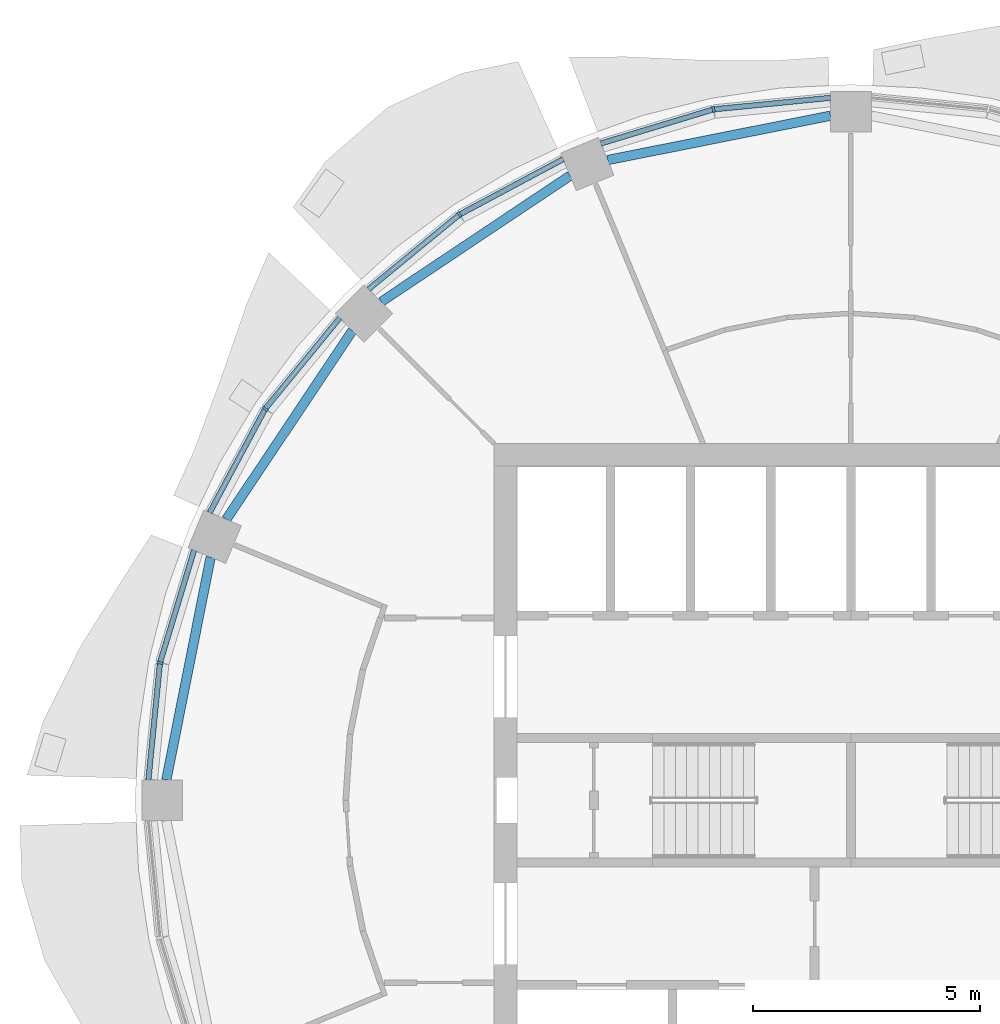
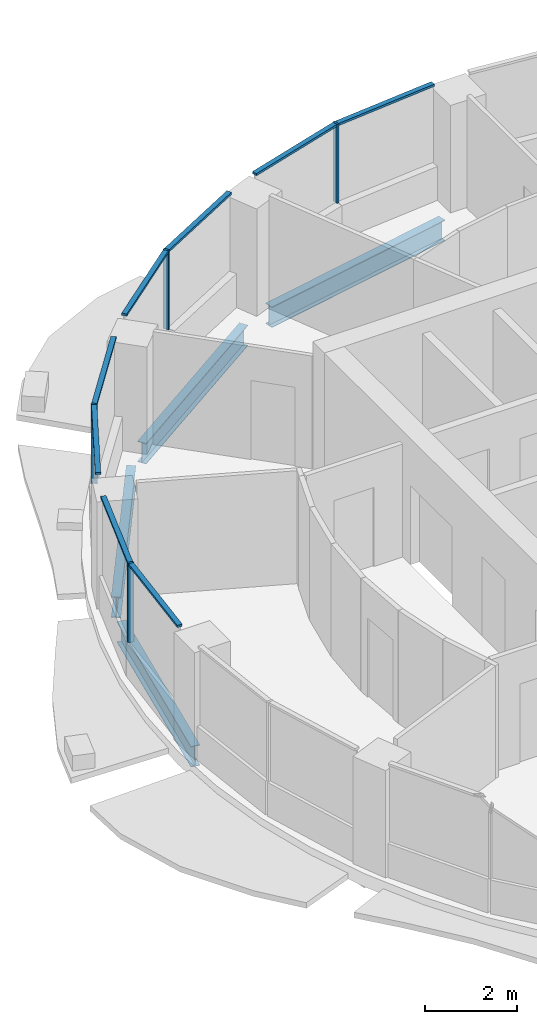
# One storey, part 4 of 14: 12 members, 4 beams, 4 elements without a shape of their own.
"""IFC4 building model written with IfcOpenShell, lengths in metres."""

import ifcopenshell
import ifcopenshell.guid

model = None  # the IFC model being written
_history = None  # IfcOwnerHistory: only IFC2X3 demands one
_inside = {}  # id of a spatial element -> (the spatial element, [elements in it])
_under = {}  # id of a project, library or spatial element -> (it, [spatial elements below it])
_declared = {}  # id of a project -> (the project, [libraries it declares])
_typed = {}  # id of a type object -> (the type object, [elements of that type])
_made_of = {}  # id of a material, layer set ... -> (it, [elements and type objects made of it])


def new_model(schema):
    """Start an empty IFC model of exactly this schema.

    Asked for "IFC4X3", IfcOpenShell would pick the latest addendum, in which some entities
    have other attributes; the version numbers below select the first issue.
    IFC2X3 requires an IfcOwnerHistory on every rooted entity: one is made here for all.
    """
    global model, _history
    if schema == "IFC4X3":
        model = ifcopenshell.file(schema_version=(4, 3, 0, 0))
    else:
        model = ifcopenshell.file(schema=schema)
    _inside.clear()
    _under.clear()
    _declared.clear()
    _typed.clear()
    _made_of.clear()
    _history = None
    if model.schema == "IFC2X3":
        org = make("IfcOrganization", Name="unknown")
        user = make(
            "IfcPersonAndOrganization",
            ThePerson=make("IfcPerson", FamilyName="unknown"),
            TheOrganization=org,
        )
        app = make(
            "IfcApplication",
            ApplicationDeveloper=org,
            Version="unknown",
            ApplicationFullName="unknown",
            ApplicationIdentifier="unknown",
        )
        _history = make(
            "IfcOwnerHistory",
            OwningUser=user,
            OwningApplication=app,
            ChangeAction="ADDED",
            CreationDate=0,
        )
    return model


def make(cls, **values):
    """One entity of the class cls with the attributes given. An attribute that is None is left unset."""
    return model.create_entity(
        cls, **{name: value for name, value in values.items() if value is not None}
    )


def rooted(cls, **values):
    """An entity with a GlobalId (a new one), such as an element, a storey or a relation."""
    return make(cls, GlobalId=ifcopenshell.guid.new(), OwnerHistory=_history, **values)


def si_unit(unit_type, name, prefix=None):
    """IfcSIUnit, for example si_unit("LENGTHUNIT", "METRE", prefix="MILLI")."""
    return make("IfcSIUnit", UnitType=unit_type, Prefix=prefix, Name=name)


def assignment(units):
    """IfcUnitAssignment: the units of a project."""
    return None if units is None else make("IfcUnitAssignment", Units=units)


def point(xyz):
    """IfcCartesianPoint."""
    return None if xyz is None else make("IfcCartesianPoint", Coordinates=xyz)


def direction(xyz):
    """IfcDirection."""
    return None if xyz is None else make("IfcDirection", DirectionRatios=xyz)


def frame(location, z_axis=None, x_axis=None):
    """IfcAxis2Placement3D, a coordinate frame: its origin and axes. An axis left out is left unset."""
    return make(
        "IfcAxis2Placement3D",
        Location=point(location),
        Axis=direction(z_axis),
        RefDirection=direction(x_axis),
    )


def frame_2d(location, x_axis=None):
    """IfcAxis2Placement2D, a coordinate frame in the plane: its origin and x axis."""
    return make(
        "IfcAxis2Placement2D", Location=point(location), RefDirection=direction(x_axis)
    )


def origin():
    """The frame at (0, 0, 0) with its axes left unset."""
    return frame((0.0, 0.0, 0.0))


def origin_2d():
    """The frame at (0, 0) in the plane with its x axis left unset."""
    return frame_2d((0.0, 0.0))


def place(relative_to, where):
    """IfcLocalPlacement: puts the frame where relative to a parent placement (None: the world)."""
    return make(
        "IfcLocalPlacement", PlacementRelTo=relative_to, RelativePlacement=where
    )


def context(
    kind, dimensions, precision=None, world=None, true_north=None, identifier=None
):
    """IfcGeometricRepresentationContext, for example the 3D "Model" context."""
    return make(
        "IfcGeometricRepresentationContext",
        ContextIdentifier=identifier,
        ContextType=kind,
        CoordinateSpaceDimension=dimensions,
        Precision=precision,
        WorldCoordinateSystem=world,
        TrueNorth=true_north,
    )


def subcontext(parent, identifier, kind, view, scale=None):
    """IfcGeometricRepresentationSubContext, for example "Body" below "Model"."""
    return make(
        "IfcGeometricRepresentationSubContext",
        ContextIdentifier=identifier,
        ContextType=kind,
        ParentContext=parent,
        TargetScale=scale,
        TargetView=view,
    )


def project(units=None, contexts=None):
    """IfcProject with its units and contexts."""
    return rooted(
        "IfcProject",
        Name="project",
        RepresentationContexts=contexts,
        UnitsInContext=assignment(units),
    )


def spatial(cls, under=None, at=None, **own):
    """A site, building, storey or space (cls), placed at a placement, below another one or the project."""
    s = rooted(cls, ObjectPlacement=at, **own)
    if under is not None:
        _under.setdefault(under.id(), (under, []))[1].append(s)
    return s


def profile(cls, at=None, kind="AREA", **sizes):
    """A parametric profile (cls). Its sizes go by their IFC names, for example OverallWidth=200.0."""
    return make(cls, ProfileType=kind, Position=at, **sizes)


def rectangle(**sizes):
    """IfcRectangleProfileDef."""
    return profile("IfcRectangleProfileDef", **sizes)


def i_section(**sizes):
    """IfcIShapeProfileDef."""
    return profile("IfcIShapeProfileDef", **sizes)


def extrude(swept, where, along, depth):
    """IfcExtrudedAreaSolid: the profile swept, set in the frame where, extruded along a direction by depth."""
    return make(
        "IfcExtrudedAreaSolid",
        SweptArea=swept,
        Position=where,
        ExtrudedDirection=direction(along),
        Depth=depth,
    )


def shape(context_of_items, identifier, shape_type, items):
    """IfcShapeRepresentation: the items that make up one representation, for example the "Body"."""
    return make(
        "IfcShapeRepresentation",
        ContextOfItems=context_of_items,
        RepresentationIdentifier=identifier,
        RepresentationType=shape_type,
        Items=items,
    )


def material(Name=None, Category=None):
    """IfcMaterial."""
    return make("IfcMaterial", Name=Name, Category=Category)


def material_profile(
    of_material, cross_section, Name=None, Category=None, Priority=None
):
    """IfcMaterialProfile: a cross section and its material."""
    return make(
        "IfcMaterialProfile",
        Name=Name,
        Material=of_material,
        Profile=cross_section,
        Priority=Priority,
        Category=Category,
    )


def profile_set(profiles, Name=None, composite=None):
    """IfcMaterialProfileSet."""
    return make(
        "IfcMaterialProfileSet",
        Name=Name,
        MaterialProfiles=profiles,
        CompositeProfile=composite,
    )


def made_of(thing, what):
    """Note that an element or type object is made of a material, layer set ...; save() writes the relation."""
    if what is not None:
        _made_of.setdefault(what.id(), (what, []))[1].append(thing)
    return thing


def type_object(cls, material=None, **own):
    """A type object (cls), such as IfcWallType, which elements share."""
    return made_of(rooted(cls, **own), material)


def element(
    cls,
    number,
    at=None,
    inside=None,
    cuts=None,
    type_object=None,
    material=None,
    context=None,
    identifier="Body",
    shape_type=None,
    held_by="IfcProductDefinitionShape",
    body=None,
    shapes=None,
    **own,
):
    """One element of the class cls, such as IfcWall. Its Tag is "e" and its number.

    at: its placement. inside: the storey or other place that contains it. cuts: it is an
    opening in that element (IfcRelVoidsElement). A single representation is given by context,
    identifier, shape_type and body (its items); several are given by shapes. held_by: the class
    of the entity that holds the representations. save() writes the other relations.
    """
    e = rooted(cls, Tag="e%d" % number, ObjectPlacement=at, **own)
    if body is not None:
        shapes = [shape(context, identifier, shape_type, body)]
    if shapes is not None:
        e.Representation = make(held_by, Representations=shapes)
    if inside is not None:
        _inside.setdefault(inside.id(), (inside, []))[1].append(e)
    if cuts is not None:
        rooted(
            "IfcRelVoidsElement", RelatingBuildingElement=cuts, RelatedOpeningElement=e
        )
    if type_object is not None:
        _typed.setdefault(type_object.id(), (type_object, []))[1].append(e)
    return made_of(e, material)


def aggregate(whole, parts):
    """IfcRelAggregates: a whole, such as a stair, and the parts it consists of."""
    return rooted("IfcRelAggregates", RelatingObject=whole, RelatedObjects=parts)


def save(model, path):
    """Write the relations noted so far, then the file.

    IfcRelAggregates (storeys below a building ...), IfcRelContainedInSpatialStructure (elements
    in a storey), IfcRelDefinesByType, IfcRelAssociatesMaterial and IfcRelDeclares: one each for
    every whole, place, type object, material and project.
    """
    for whole, parts in _under.values():
        aggregate(whole, parts)
    for where, things in _inside.values():
        rooted(
            "IfcRelContainedInSpatialStructure",
            RelatedElements=things,
            RelatingStructure=where,
        )
    for kind, things in _typed.values():
        rooted("IfcRelDefinesByType", RelatedObjects=things, RelatingType=kind)
    for what, things in _made_of.values():
        rooted("IfcRelAssociatesMaterial", RelatedObjects=things, RelatingMaterial=what)
    for by, libraries in _declared.values():
        rooted("IfcRelDeclares", RelatingContext=by, RelatedDefinitions=libraries)
    model.write(path)


model = new_model("IFC4")

# Units and contexts
model_context = context("Model", 3, precision=1e-05, world=origin(), true_north=direction((0.0, 1.0)))
body_context = subcontext(model_context, "Body", "Model", "MODEL_VIEW")
ifc_project = project(units=[si_unit("LENGTHUNIT", "METRE"), si_unit("AREAUNIT", "SQUARE_METRE"), si_unit("VOLUMEUNIT", "CUBIC_METRE"), si_unit("PLANEANGLEUNIT", "RADIAN"), si_unit("MASSUNIT", "GRAM", prefix="KILO")], contexts=[model_context])

# Site, building, storey
site_placement = place(None, origin())
site = spatial("IfcSite", under=ifc_project, at=site_placement, CompositionType="ELEMENT")
building_placement = place(site_placement, origin())
building = spatial("IfcBuilding", under=site, at=building_placement, Name="Polderwave Tower", CompositionType="ELEMENT")
storey_placement = place(building_placement, frame((0.0, 0.0, 221.14990234375)))
storey = spatial("IfcBuildingStorey", under=building, at=storey_placement, Name="L60", CompositionType="ELEMENT", Elevation=221.14990234375)

# Curtain wall, member
ifc_material_1 = material(Name="Aluminium 6063-T6 and glass", Category="aluminium")
curtain_wall_type = type_object("IfcCurtainWallType", Name="Office ribbon glazing wall", PredefinedType="NOTDEFINED", material=ifc_material_1)
curtain_wall_1_placement = place(storey_placement, origin())
curtain_wall_1 = element("IfcCurtainWall", 1, at=curtain_wall_1_placement, inside=storey, type_object=curtain_wall_type, Name="CW3 L60 04", PredefinedType="NOTDEFINED")
ifc_material_2 = material(Name="Aluminium 6063-T6", Category="aluminium")
ifc_material_profile_1 = material_profile(ifc_material_2, rectangle(XDim=0.139892578125, YDim=0.054931640625, at=origin_2d()), Name="AL 55x140")
ifc_profile_set_1 = profile_set([ifc_material_profile_1], Name="Aluminium 6063-T6")
member_type_1 = type_object("IfcMemberType", Name="Office ribbon glazing mullion 55x140", PredefinedType="MULLION", material=ifc_profile_set_1)
member_1_placement = place(storey_placement, frame((-3.033935546875, 15.2509765625, 0.900146484375), z_axis=(0.0, 0.0, 1.0), x_axis=(0.195092033809, -0.980784939905, 0.0)))
member_1 = element("IfcMember", 2, at=member_1_placement, type_object=member_type_1, Name="CW3 mullion 1", PredefinedType="MULLION", context=body_context, shape_type="SweptSolid", body=[
    extrude(rectangle(XDim=0.139892578125, YDim=0.054931640625, at=origin_2d()), origin(), (0.0, 0.0, 1.0), 2.099853515625),
])

curtain_wall_2_placement = place(storey_placement, origin())
curtain_wall_2 = element("IfcCurtainWall", 3, at=curtain_wall_2_placement, inside=storey, type_object=curtain_wall_type, Name="CW3 L60 05", PredefinedType="NOTDEFINED")
member_2_placement = place(storey_placement, frame((-8.638916015625, 12.928955078125, 0.900146484375), z_axis=(0.0, 0.0, 1.0), x_axis=(0.555628279195, -0.831430824157, 0.0)))
member_2 = element("IfcMember", 4, at=member_2_placement, type_object=member_type_1, Name="CW3 mullion 1", PredefinedType="MULLION", context=body_context, shape_type="SweptSolid", body=[
    extrude(rectangle(XDim=0.139892578125, YDim=0.054931640625, at=origin_2d()), origin(), (0.0, 0.0, 1.0), 2.099853515625),
])

curtain_wall_3_placement = place(storey_placement, origin())
curtain_wall_3 = element("IfcCurtainWall", 5, at=curtain_wall_3_placement, inside=storey, type_object=curtain_wall_type, Name="CW3 L60 06", PredefinedType="NOTDEFINED")
member_3_placement = place(storey_placement, frame((-12.928955078125, 8.638916015625, 0.900146484375), z_axis=(0.0, 0.0, 1.0), x_axis=(0.831430824157, -0.555628279195, 0.0)))
member_3 = element("IfcMember", 6, at=member_3_placement, type_object=member_type_1, Name="CW3 mullion 1", PredefinedType="MULLION", context=body_context, shape_type="SweptSolid", body=[
    extrude(rectangle(XDim=0.139892578125, YDim=0.054931640625, at=origin_2d()), origin(), (0.0, 0.0, 1.0), 2.099853515625),
])

curtain_wall_4_placement = place(storey_placement, origin())
curtain_wall_4 = element("IfcCurtainWall", 7, at=curtain_wall_4_placement, inside=storey, type_object=curtain_wall_type, Name="CW3 L60 07", PredefinedType="NOTDEFINED")
member_4_placement = place(storey_placement, frame((-15.2509765625, 3.033935546875, 0.900146484375), z_axis=(0.0, 0.0, 1.0), x_axis=(0.980784939905, -0.195092033809, 0.0)))
member_4 = element("IfcMember", 8, at=member_4_placement, type_object=member_type_1, Name="CW3 mullion 1", PredefinedType="MULLION", context=body_context, shape_type="SweptSolid", body=[
    extrude(rectangle(XDim=0.139892578125, YDim=0.054931640625, at=origin_2d()), origin(), (0.0, 0.0, 1.0), 2.099853515625),
])

# Member
ifc_material_profile_2 = material_profile(ifc_material_2, rectangle(XDim=0.1201171875, YDim=0.06005859375, at=origin_2d()), Name="AL 60x120")
ifc_profile_set_2 = profile_set([ifc_material_profile_2], Name="Aluminium 6063-T6")
member_type_2 = type_object("IfcMemberType", Name="Office ribbon glazing transom 60x120", PredefinedType="USERDEFINED", material=ifc_profile_set_2)
member_5_placement = place(storey_placement, frame((-0.449951171875, 15.506103515625, 2.97021484375), z_axis=(-0.99516061353, -0.098261657218, 0.0), x_axis=(0.098261657218, -0.99516061353, 0.0)))
member_5 = element("IfcMember", 9, at=member_5_placement, type_object=member_type_2, Name="CW3 transom 1", ObjectType="TRANSOM", PredefinedType="USERDEFINED", context=body_context, shape_type="SweptSolid", body=[
    extrude(rectangle(XDim=0.1201171875, YDim=0.06005859375, at=origin_2d()), origin(), (0.0, 0.0, 1.0), 2.569091796875),
])

member_6_placement = place(storey_placement, frame((-3.060302734375, 15.242919921875, 2.97021484375), z_axis=(-0.95701400989, -0.290041695061, 0.0), x_axis=(0.290041695061, -0.95701400989, 0.0)))
member_6 = element("IfcMember", 10, at=member_6_placement, type_object=member_type_2, Name="CW3 transom 2", ObjectType="TRANSOM", PredefinedType="USERDEFINED", context=body_context, shape_type="SweptSolid", body=[
    extrude(rectangle(XDim=0.1201171875, YDim=0.06005859375, at=origin_2d()), origin(), (0.0, 0.0, 1.0), 2.568115234375),
])

aggregate(curtain_wall_1, [member_1, member_5, member_6])

member_7_placement = place(storey_placement, frame((-6.35009765625, 14.153076171875, 2.97021484375), z_axis=(-0.881807627189, -0.471609275387, 0.0), x_axis=(0.471609275387, -0.881807627189, 0.0)))
member_7 = element("IfcMember", 11, at=member_7_placement, type_object=member_type_2, Name="CW3 transom 1", ObjectType="TRANSOM", PredefinedType="USERDEFINED", context=body_context, shape_type="SweptSolid", body=[
    extrude(rectangle(XDim=0.1201171875, YDim=0.06005859375, at=origin_2d()), origin(), (0.0, 0.0, 1.0), 2.568115234375),
])

member_8_placement = place(storey_placement, frame((-8.660400390625, 12.91162109375, 2.97021484375), z_axis=(-0.772990905552, -0.634417102491, 0.0), x_axis=(0.634417102491, -0.772990905552, 0.0)))
member_8 = element("IfcMember", 12, at=member_8_placement, type_object=member_type_2, Name="CW3 transom 2", ObjectType="TRANSOM", PredefinedType="USERDEFINED", context=body_context, shape_type="SweptSolid", body=[
    extrude(rectangle(XDim=0.1201171875, YDim=0.06005859375, at=origin_2d()), origin(), (0.0, 0.0, 1.0), 2.568603515625),
])

aggregate(curtain_wall_2, [member_2, member_7, member_8])

member_9_placement = place(storey_placement, frame((-11.281982421875, 10.64599609375, 2.97021484375), z_axis=(-0.634417102491, -0.772990905552, 0.0), x_axis=(0.772990905552, -0.634417102491, 0.0)))
member_9 = element("IfcMember", 13, at=member_9_placement, type_object=member_type_2, Name="CW3 transom 1", ObjectType="TRANSOM", PredefinedType="USERDEFINED", context=body_context, shape_type="SweptSolid", body=[
    extrude(rectangle(XDim=0.1201171875, YDim=0.06005859375, at=origin_2d()), origin(), (0.0, 0.0, 1.0), 2.568603515625),
])

member_10_placement = place(storey_placement, frame((-12.94189453125, 8.61474609375, 2.97021484375), z_axis=(-0.471609275387, -0.881807627189, 0.0), x_axis=(0.881807627189, -0.471609275387, 0.0)))
member_10 = element("IfcMember", 14, at=member_10_placement, type_object=member_type_2, Name="CW3 transom 2", ObjectType="TRANSOM", PredefinedType="USERDEFINED", context=body_context, shape_type="SweptSolid", body=[
    extrude(rectangle(XDim=0.1201171875, YDim=0.06005859375, at=origin_2d()), origin(), (0.0, 0.0, 1.0), 2.568115234375),
])

aggregate(curtain_wall_3, [member_3, member_9, member_10])

member_11_placement = place(storey_placement, frame((-14.498046875, 5.51806640625, 2.97021484375), z_axis=(-0.290041695061, -0.95701400989, 0.0), x_axis=(0.95701400989, -0.290041695061, 0.0)))
member_11 = element("IfcMember", 15, at=member_11_placement, type_object=member_type_2, Name="CW3 transom 1", ObjectType="TRANSOM", PredefinedType="USERDEFINED", context=body_context, shape_type="SweptSolid", body=[
    extrude(rectangle(XDim=0.1201171875, YDim=0.06005859375, at=origin_2d()), origin(), (0.0, 0.0, 1.0), 2.568115234375),
])

member_12_placement = place(storey_placement, frame((-15.253662109375, 3.006591796875, 2.97021484375), z_axis=(-0.098261657218, -0.99516061353, 0.0), x_axis=(0.99516061353, -0.098261657218, 0.0)))
member_12 = element("IfcMember", 16, at=member_12_placement, type_object=member_type_2, Name="CW3 transom 2", ObjectType="TRANSOM", PredefinedType="USERDEFINED", context=body_context, shape_type="SweptSolid", body=[
    extrude(rectangle(XDim=0.1201171875, YDim=0.06005859375, at=origin_2d()), origin(), (0.0, 0.0, 1.0), 2.569091796875),
])

aggregate(curtain_wall_4, [member_4, member_11, member_12])

# Beams
ifc_material_3 = material(Name="Steel S355", Category="steel")
ifc_material_profile_3 = material_profile(ifc_material_3, i_section(OverallWidth=0.2099609375, OverallDepth=0.550048828125, WebThickness=0.010986328125, FlangeThickness=0.01708984375, at=origin_2d()), Name="IPE 550")
ifc_profile_set_3 = profile_set([ifc_material_profile_3], Name="Steel S355")
beam_type = type_object("IfcBeamType", Name="RING BEAM IPE 550", PredefinedType="BEAM", material=ifc_profile_set_3)
for number, where, z_axis, x_axis, name in (
    (17, (-0.449951171875, 15.110595703125, -0.625), (-0.980784312822, -0.195095186313, 0.0), (0.195095186313, -0.980784312822, 0.0), "ST-RB-L60-04"),
    (18, (-6.1982421875, 13.7880859375, -0.625), (-0.831465425301, -0.555576499258, 0.0), (0.555576499258, -0.831465425301, 0.0), "ST-RB-L60-05"),
    (19, (-11.0029296875, 10.366455078125, -0.625), (-0.555576499258, -0.831465425301, 0.0), (0.831465425301, -0.555576499258, 0.0), "ST-RB-L60-06"),
    (20, (-14.132568359375, 5.36669921875, -0.625), (-0.195095186313, -0.980784312822, 0.0), (0.980784312822, -0.195095186313, 0.0), "ST-RB-L60-07"),
):
    element("IfcBeam", number, at=place(storey_placement, frame(where, z_axis=z_axis, x_axis=x_axis)), inside=storey, type_object=beam_type, Name=name, PredefinedType="BEAM", context=body_context, shape_type="SweptSolid", body=[
        extrude(i_section(OverallWidth=0.2099609375, OverallDepth=0.550048828125, WebThickness=0.010986328125, FlangeThickness=0.01708984375, at=origin_2d()), origin(), (0.0, 0.0, 1.0), 5.01318359375),
    ])

save(model, "model.ifc")
